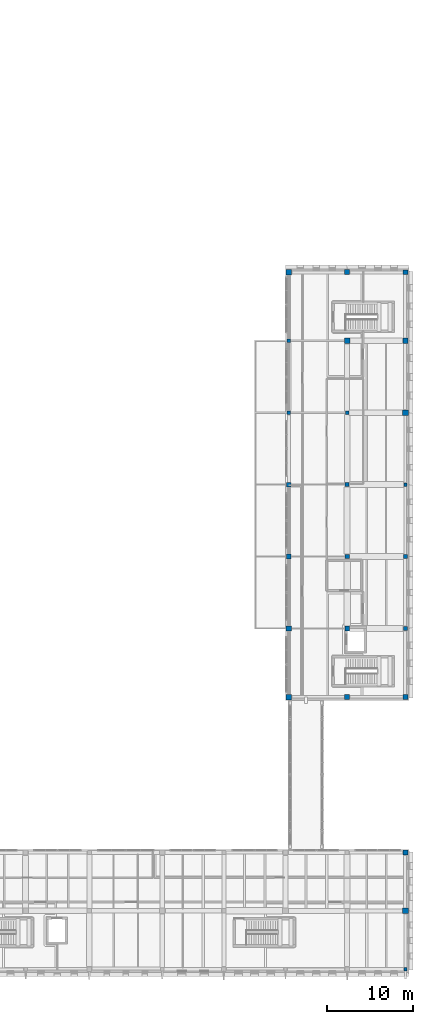
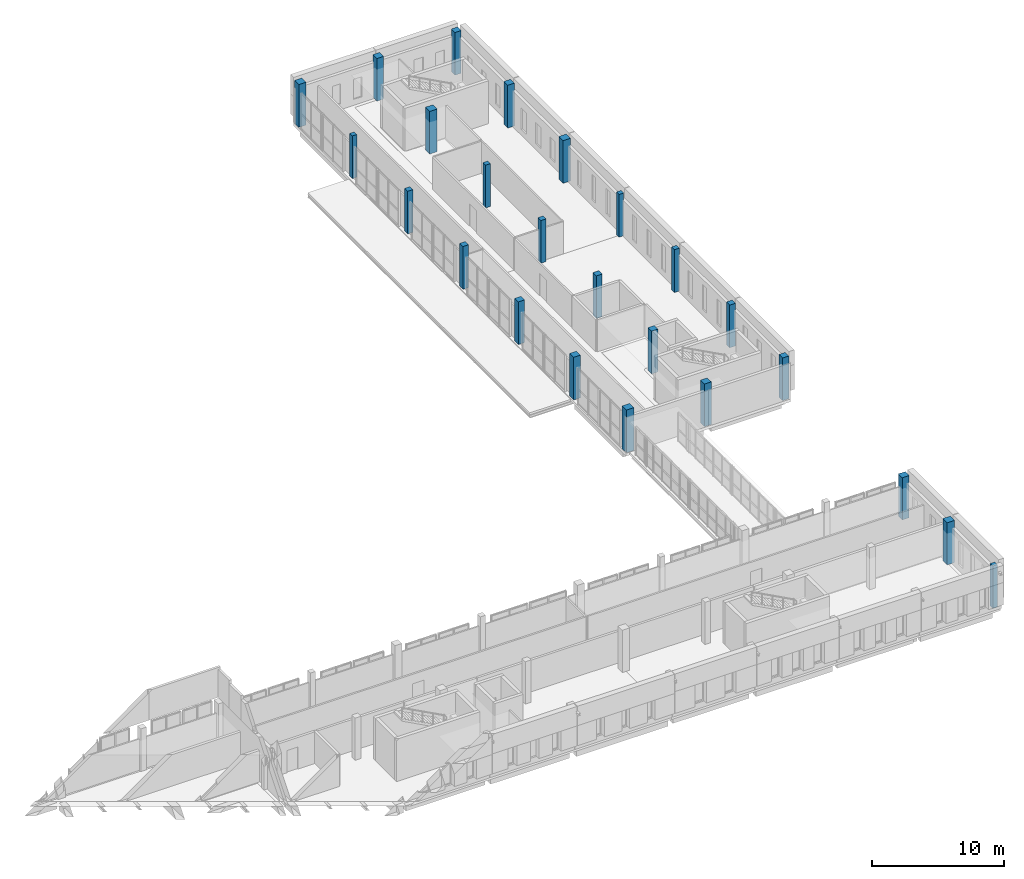
# One storey, part 6 of 76: 24 columns.
"""IFC4 building model written with IfcOpenShell, lengths in metres."""

import ifcopenshell
import ifcopenshell.guid

model = None  # the IFC model being written
_history = None  # IfcOwnerHistory: only IFC2X3 demands one
_inside = {}  # id of a spatial element -> (the spatial element, [elements in it])
_under = {}  # id of a project, library or spatial element -> (it, [spatial elements below it])
_declared = {}  # id of a project -> (the project, [libraries it declares])
_typed = {}  # id of a type object -> (the type object, [elements of that type])
_made_of = {}  # id of a material, layer set ... -> (it, [elements and type objects made of it])


def new_model(schema):
    """Start an empty IFC model of exactly this schema.

    Asked for "IFC4X3", IfcOpenShell would pick the latest addendum, in which some entities
    have other attributes; the version numbers below select the first issue.
    IFC2X3 requires an IfcOwnerHistory on every rooted entity: one is made here for all.
    """
    global model, _history
    if schema == "IFC4X3":
        model = ifcopenshell.file(schema_version=(4, 3, 0, 0))
    else:
        model = ifcopenshell.file(schema=schema)
    _inside.clear()
    _under.clear()
    _declared.clear()
    _typed.clear()
    _made_of.clear()
    _history = None
    if model.schema == "IFC2X3":
        org = make("IfcOrganization", Name="unknown")
        user = make(
            "IfcPersonAndOrganization",
            ThePerson=make("IfcPerson", FamilyName="unknown"),
            TheOrganization=org,
        )
        app = make(
            "IfcApplication",
            ApplicationDeveloper=org,
            Version="unknown",
            ApplicationFullName="unknown",
            ApplicationIdentifier="unknown",
        )
        _history = make(
            "IfcOwnerHistory",
            OwningUser=user,
            OwningApplication=app,
            ChangeAction="ADDED",
            CreationDate=0,
        )
    return model


def make(cls, **values):
    """One entity of the class cls with the attributes given. An attribute that is None is left unset."""
    return model.create_entity(
        cls, **{name: value for name, value in values.items() if value is not None}
    )


def rooted(cls, **values):
    """An entity with a GlobalId (a new one), such as an element, a storey or a relation."""
    return make(cls, GlobalId=ifcopenshell.guid.new(), OwnerHistory=_history, **values)


def si_unit(unit_type, name, prefix=None):
    """IfcSIUnit, for example si_unit("LENGTHUNIT", "METRE", prefix="MILLI")."""
    return make("IfcSIUnit", UnitType=unit_type, Prefix=prefix, Name=name)


def assignment(units):
    """IfcUnitAssignment: the units of a project."""
    return None if units is None else make("IfcUnitAssignment", Units=units)


def point(xyz):
    """IfcCartesianPoint."""
    return None if xyz is None else make("IfcCartesianPoint", Coordinates=xyz)


def direction(xyz):
    """IfcDirection."""
    return None if xyz is None else make("IfcDirection", DirectionRatios=xyz)


def frame(location, z_axis=None, x_axis=None):
    """IfcAxis2Placement3D, a coordinate frame: its origin and axes. An axis left out is left unset."""
    return make(
        "IfcAxis2Placement3D",
        Location=point(location),
        Axis=direction(z_axis),
        RefDirection=direction(x_axis),
    )


def frame_2d(location, x_axis=None):
    """IfcAxis2Placement2D, a coordinate frame in the plane: its origin and x axis."""
    return make(
        "IfcAxis2Placement2D", Location=point(location), RefDirection=direction(x_axis)
    )


def origin():
    """The frame at (0, 0, 0) with its axes left unset."""
    return frame((0.0, 0.0, 0.0))


def origin_2d():
    """The frame at (0, 0) in the plane with its x axis left unset."""
    return frame_2d((0.0, 0.0))


def place(relative_to, where):
    """IfcLocalPlacement: puts the frame where relative to a parent placement (None: the world)."""
    return make(
        "IfcLocalPlacement", PlacementRelTo=relative_to, RelativePlacement=where
    )


def context(
    kind, dimensions, precision=None, world=None, true_north=None, identifier=None
):
    """IfcGeometricRepresentationContext, for example the 3D "Model" context."""
    return make(
        "IfcGeometricRepresentationContext",
        ContextIdentifier=identifier,
        ContextType=kind,
        CoordinateSpaceDimension=dimensions,
        Precision=precision,
        WorldCoordinateSystem=world,
        TrueNorth=true_north,
    )


def subcontext(parent, identifier, kind, view, scale=None):
    """IfcGeometricRepresentationSubContext, for example "Body" below "Model"."""
    return make(
        "IfcGeometricRepresentationSubContext",
        ContextIdentifier=identifier,
        ContextType=kind,
        ParentContext=parent,
        TargetScale=scale,
        TargetView=view,
    )


def project(units=None, contexts=None):
    """IfcProject with its units and contexts."""
    return rooted(
        "IfcProject",
        Name="project",
        RepresentationContexts=contexts,
        UnitsInContext=assignment(units),
    )


def spatial(cls, under=None, at=None, **own):
    """A site, building, storey or space (cls), placed at a placement, below another one or the project."""
    s = rooted(cls, ObjectPlacement=at, **own)
    if under is not None:
        _under.setdefault(under.id(), (under, []))[1].append(s)
    return s


def profile(cls, at=None, kind="AREA", **sizes):
    """A parametric profile (cls). Its sizes go by their IFC names, for example OverallWidth=200.0."""
    return make(cls, ProfileType=kind, Position=at, **sizes)


def rectangle(**sizes):
    """IfcRectangleProfileDef."""
    return profile("IfcRectangleProfileDef", **sizes)


def extrude(swept, where, along, depth):
    """IfcExtrudedAreaSolid: the profile swept, set in the frame where, extruded along a direction by depth."""
    return make(
        "IfcExtrudedAreaSolid",
        SweptArea=swept,
        Position=where,
        ExtrudedDirection=direction(along),
        Depth=depth,
    )


def shape(context_of_items, identifier, shape_type, items):
    """IfcShapeRepresentation: the items that make up one representation, for example the "Body"."""
    return make(
        "IfcShapeRepresentation",
        ContextOfItems=context_of_items,
        RepresentationIdentifier=identifier,
        RepresentationType=shape_type,
        Items=items,
    )


def material(Name=None, Category=None):
    """IfcMaterial."""
    return make("IfcMaterial", Name=Name, Category=Category)


def material_profile(
    of_material, cross_section, Name=None, Category=None, Priority=None
):
    """IfcMaterialProfile: a cross section and its material."""
    return make(
        "IfcMaterialProfile",
        Name=Name,
        Material=of_material,
        Profile=cross_section,
        Priority=Priority,
        Category=Category,
    )


def profile_set(profiles, Name=None, composite=None):
    """IfcMaterialProfileSet."""
    return make(
        "IfcMaterialProfileSet",
        Name=Name,
        MaterialProfiles=profiles,
        CompositeProfile=composite,
    )


def made_of(thing, what):
    """Note that an element or type object is made of a material, layer set ...; save() writes the relation."""
    if what is not None:
        _made_of.setdefault(what.id(), (what, []))[1].append(thing)
    return thing


def type_object(cls, material=None, **own):
    """A type object (cls), such as IfcWallType, which elements share."""
    return made_of(rooted(cls, **own), material)


def element(
    cls,
    number,
    at=None,
    inside=None,
    cuts=None,
    type_object=None,
    material=None,
    context=None,
    identifier="Body",
    shape_type=None,
    held_by="IfcProductDefinitionShape",
    body=None,
    shapes=None,
    **own,
):
    """One element of the class cls, such as IfcWall. Its Tag is "e" and its number.

    at: its placement. inside: the storey or other place that contains it. cuts: it is an
    opening in that element (IfcRelVoidsElement). A single representation is given by context,
    identifier, shape_type and body (its items); several are given by shapes. held_by: the class
    of the entity that holds the representations. save() writes the other relations.
    """
    e = rooted(cls, Tag="e%d" % number, ObjectPlacement=at, **own)
    if body is not None:
        shapes = [shape(context, identifier, shape_type, body)]
    if shapes is not None:
        e.Representation = make(held_by, Representations=shapes)
    if inside is not None:
        _inside.setdefault(inside.id(), (inside, []))[1].append(e)
    if cuts is not None:
        rooted(
            "IfcRelVoidsElement", RelatingBuildingElement=cuts, RelatedOpeningElement=e
        )
    if type_object is not None:
        _typed.setdefault(type_object.id(), (type_object, []))[1].append(e)
    return made_of(e, material)


def aggregate(whole, parts):
    """IfcRelAggregates: a whole, such as a stair, and the parts it consists of."""
    return rooted("IfcRelAggregates", RelatingObject=whole, RelatedObjects=parts)


def save(model, path):
    """Write the relations noted so far, then the file.

    IfcRelAggregates (storeys below a building ...), IfcRelContainedInSpatialStructure (elements
    in a storey), IfcRelDefinesByType, IfcRelAssociatesMaterial and IfcRelDeclares: one each for
    every whole, place, type object, material and project.
    """
    for whole, parts in _under.values():
        aggregate(whole, parts)
    for where, things in _inside.values():
        rooted(
            "IfcRelContainedInSpatialStructure",
            RelatedElements=things,
            RelatingStructure=where,
        )
    for kind, things in _typed.values():
        rooted("IfcRelDefinesByType", RelatedObjects=things, RelatingType=kind)
    for what, things in _made_of.values():
        rooted("IfcRelAssociatesMaterial", RelatedObjects=things, RelatingMaterial=what)
    for by, libraries in _declared.values():
        rooted("IfcRelDeclares", RelatingContext=by, RelatedDefinitions=libraries)
    model.write(path)


model = new_model("IFC4")

# Units and contexts
model_context = context("Model", 3, precision=1e-05, world=origin(), true_north=direction((0.0, 1.0)))
body_context = subcontext(model_context, "Body", "Model", "MODEL_VIEW")
ifc_project = project(units=[si_unit("LENGTHUNIT", "METRE"), si_unit("AREAUNIT", "SQUARE_METRE"), si_unit("VOLUMEUNIT", "CUBIC_METRE"), si_unit("PLANEANGLEUNIT", "RADIAN"), si_unit("MASSUNIT", "GRAM", prefix="KILO")], contexts=[model_context])

# Site, building, storey
site_placement = place(None, origin())
site = spatial("IfcSite", under=ifc_project, at=site_placement, CompositionType="ELEMENT")
building_placement = place(site_placement, origin())
building = spatial("IfcBuilding", under=site, at=building_placement, Name="Vardoun Plaza Health Centre", CompositionType="ELEMENT")
storey_placement = place(building_placement, frame((0.0, 0.0, 4.5)))
storey = spatial("IfcBuildingStorey", under=building, at=storey_placement, Name="L01", CompositionType="ELEMENT", Elevation=4.5)

# Columns
ifc_material_1 = material(Name="Concrete C40/50", Category="concrete")
ifc_material_profile_1 = material_profile(ifc_material_1, rectangle(XDim=0.39990234375, YDim=0.39990234375, at=origin_2d()), Name="RC-COL 400x400")
ifc_profile_set_1 = profile_set([ifc_material_profile_1], Name="Concrete C40/50")
column_type_1 = type_object("IfcColumnType", Name="C-08", PredefinedType="COLUMN", material=ifc_profile_set_1)
column_1_placement = place(storey_placement, frame((164.919921875, 4.8798828125, 0.0), z_axis=(0.0, 0.0, 1.0), x_axis=(1.0, 0.0, 0.0)))
element("IfcColumn", 1, at=column_1_placement, inside=storey, type_object=column_type_1, Name="V5 L01 Column C-V5-25", PredefinedType="COLUMN", context=body_context, shape_type="SweptSolid", body=[
    extrude(rectangle(XDim=0.39990234375, YDim=0.39990234375, at=origin_2d()), origin(), (0.0, 0.0, 1.0), 3.905029296875),
])
for number, where, z_axis, x_axis, name in (
    (2, (151.280029296875, 78.300048828125, 0.0), (0.0, 0.0, 1.0), (1.0, 0.0, 0.0), "V6 L01 Column C-V6-06"),
    (3, (158.10009765625, 69.900146484375, 0.0), (0.0, 0.0, 1.0), (1.0, 0.0, 0.0), "V6 L01 Column C-V6-12"),
    (4, (164.919921875, 61.5, 0.0), (0.0, 0.0, 1.0), (1.0, 0.0, 0.0), "V6 L01 Column C-V6-18"),
):
    element("IfcColumn", number, at=place(storey_placement, frame(where, z_axis=z_axis, x_axis=x_axis)), inside=storey, type_object=column_type_1, Name=name, PredefinedType="COLUMN", context=body_context, shape_type="SweptSolid", body=[
        extrude(rectangle(XDim=0.39990234375, YDim=0.39990234375, at=origin_2d()), origin(), (0.0, 0.0, 1.0), 3.949951171875),
    ])
ifc_material_2 = material(Name="Concrete C40/50", Category="concrete")
ifc_material_profile_2 = material_profile(ifc_material_2, rectangle(XDim=0.449951171875, YDim=0.449951171875, at=origin_2d()), Name="RC-COL 450x450")
ifc_profile_set_2 = profile_set([ifc_material_profile_2], Name="Concrete C40/50")
column_type_2 = type_object("IfcColumnType", Name="C-07", PredefinedType="COLUMN", material=ifc_profile_set_2)
for number, where, z_axis, x_axis, name in (
    (5, (151.280029296875, 69.900146484375, 0.0), (0.0, 0.0, 1.0), (1.0, 0.0, 0.0), "V6 L01 Column C-V6-05"),
    (6, (158.10009765625, 61.5, 0.0), (0.0, 0.0, 1.0), (1.0, 0.0, 0.0), "V6 L01 Column C-V6-11"),
    (7, (164.919921875, 53.10009765625, 0.0), (0.0, 0.0, 1.0), (1.0, 0.0, 0.0), "V6 L01 Column C-V6-17"),
):
    element("IfcColumn", number, at=place(storey_placement, frame(where, z_axis=z_axis, x_axis=x_axis)), inside=storey, type_object=column_type_2, Name=name, PredefinedType="COLUMN", context=body_context, shape_type="SweptSolid", body=[
        extrude(rectangle(XDim=0.449951171875, YDim=0.449951171875, at=origin_2d()), origin(), (0.0, 0.0, 1.0), 3.949951171875),
    ])
ifc_material_3 = material(Name="Concrete C40/50", Category="concrete")
ifc_material_profile_3 = material_profile(ifc_material_3, rectangle(XDim=0.5, YDim=0.5, at=origin_2d()), Name="RC-COL 500x500")
ifc_profile_set_3 = profile_set([ifc_material_profile_3], Name="Concrete C40/50")
column_type_3 = type_object("IfcColumnType", Name="C-06", PredefinedType="COLUMN", material=ifc_profile_set_3)
for number, where, z_axis, x_axis, name in (
    (8, (151.280029296875, 61.5, 0.0), (0.0, 0.0, 1.0), (1.0, 0.0, 0.0), "V6 L01 Column C-V6-04"),
    (9, (158.10009765625, 53.10009765625, 0.0), (0.0, 0.0, 1.0), (1.0, 0.0, 0.0), "V6 L01 Column C-V6-10"),
    (10, (164.919921875, 44.699951171875, 0.0), (0.0, 0.0, 1.0), (1.0, 0.0, 0.0), "V6 L01 Column C-V6-16"),
):
    element("IfcColumn", number, at=place(storey_placement, frame(where, z_axis=z_axis, x_axis=x_axis)), inside=storey, type_object=column_type_3, Name=name, PredefinedType="COLUMN", context=body_context, shape_type="SweptSolid", body=[
        extrude(rectangle(XDim=0.5, YDim=0.5, at=origin_2d()), origin(), (0.0, 0.0, 1.0), 3.949951171875),
    ])
ifc_material_4 = material(Name="Concrete C40/50", Category="concrete")
ifc_material_profile_4 = material_profile(ifc_material_4, rectangle(XDim=0.550048828125, YDim=0.550048828125, at=origin_2d()), Name="RC-COL 550x550")
ifc_profile_set_4 = profile_set([ifc_material_profile_4], Name="Concrete C40/50")
column_type_4 = type_object("IfcColumnType", Name="C-05", PredefinedType="COLUMN", material=ifc_profile_set_4)
for number, where, z_axis, x_axis, name in (
    (11, (151.280029296875, 53.10009765625, 0.0), (0.0, 0.0, 1.0), (1.0, 0.0, 0.0), "V6 L01 Column C-V6-03"),
    (12, (158.10009765625, 44.699951171875, 0.0), (0.0, 0.0, 1.0), (1.0, 0.0, 0.0), "V6 L01 Column C-V6-09"),
    (13, (164.919921875, 36.679931640625, 0.0), (0.0, 0.0, 1.0), (1.0, 0.0, 0.0), "V6 L01 Column C-V6-15"),
    (14, (164.919921875, 86.320068359375, 0.0), (0.0, 0.0, 1.0), (1.0, 0.0, 0.0), "V6 L01 Column C-V6-21"),
):
    element("IfcColumn", number, at=place(storey_placement, frame(where, z_axis=z_axis, x_axis=x_axis)), inside=storey, type_object=column_type_4, Name=name, PredefinedType="COLUMN", context=body_context, shape_type="SweptSolid", body=[
        extrude(rectangle(XDim=0.550048828125, YDim=0.550048828125, at=origin_2d()), origin(), (0.0, 0.0, 1.0), 3.949951171875),
    ])
ifc_material_5 = material(Name="Concrete C40/50", Category="concrete")
ifc_material_profile_5 = material_profile(ifc_material_5, rectangle(XDim=0.60009765625, YDim=0.60009765625, at=origin_2d()), Name="RC-COL 600x600")
ifc_profile_set_5 = profile_set([ifc_material_profile_5], Name="Concrete C40/50")
column_type_5 = type_object("IfcColumnType", Name="C-04", PredefinedType="COLUMN", material=ifc_profile_set_5)
column_2_placement = place(storey_placement, frame((164.919921875, 18.52001953125, 0.0), z_axis=(0.0, 0.0, 1.0), x_axis=(1.0, 0.0, 0.0)))
element("IfcColumn", 15, at=column_2_placement, inside=storey, type_object=column_type_5, Name="V5 L01 Column C-V5-27", PredefinedType="COLUMN", context=body_context, shape_type="SweptSolid", body=[
    extrude(rectangle(XDim=0.60009765625, YDim=0.60009765625, at=origin_2d()), origin(), (0.0, 0.0, 1.0), 3.905029296875),
])
for number, where, z_axis, x_axis, name in (
    (16, (151.280029296875, 44.699951171875, 0.0), (0.0, 0.0, 1.0), (1.0, 0.0, 0.0), "V6 L01 Column C-V6-02"),
    (17, (158.10009765625, 36.679931640625, 0.0), (0.0, 0.0, 1.0), (1.0, 0.0, 0.0), "V6 L01 Column C-V6-08"),
    (18, (158.10009765625, 86.320068359375, 0.0), (0.0, 0.0, 1.0), (1.0, 0.0, 0.0), "V6 L01 Column C-V6-14"),
    (19, (164.919921875, 78.300048828125, 0.0), (0.0, 0.0, 1.0), (1.0, 0.0, 0.0), "V6 L01 Column C-V6-20"),
):
    element("IfcColumn", number, at=place(storey_placement, frame(where, z_axis=z_axis, x_axis=x_axis)), inside=storey, type_object=column_type_5, Name=name, PredefinedType="COLUMN", context=body_context, shape_type="SweptSolid", body=[
        extrude(rectangle(XDim=0.60009765625, YDim=0.60009765625, at=origin_2d()), origin(), (0.0, 0.0, 1.0), 3.949951171875),
    ])
ifc_material_6 = material(Name="Concrete C40/50", Category="concrete")
ifc_material_profile_6 = material_profile(ifc_material_6, rectangle(XDim=0.64990234375, YDim=0.64990234375, at=origin_2d()), Name="RC-COL 650x650")
ifc_profile_set_6 = profile_set([ifc_material_profile_6], Name="Concrete C40/50")
column_type_6 = type_object("IfcColumnType", Name="C-03", PredefinedType="COLUMN", material=ifc_profile_set_6)
column_3_placement = place(storey_placement, frame((164.919921875, 11.699951171875, 0.0), z_axis=(0.0, 0.0, 1.0), x_axis=(1.0, 0.0, 0.0)))
element("IfcColumn", 20, at=column_3_placement, inside=storey, type_object=column_type_6, Name="V5 L01 Column C-V5-26", PredefinedType="COLUMN", context=body_context, shape_type="SweptSolid", body=[
    extrude(rectangle(XDim=0.64990234375, YDim=0.64990234375, at=origin_2d()), origin(), (0.0, 0.0, 1.0), 3.905029296875),
])
for number, where, z_axis, x_axis, name in (
    (21, (151.280029296875, 36.679931640625, 0.0), (0.0, 0.0, 1.0), (1.0, 0.0, 0.0), "V6 L01 Column C-V6-01"),
    (22, (151.280029296875, 86.320068359375, 0.0), (0.0, 0.0, 1.0), (1.0, 0.0, 0.0), "V6 L01 Column C-V6-07"),
    (23, (158.10009765625, 78.300048828125, 0.0), (0.0, 0.0, 1.0), (1.0, 0.0, 0.0), "V6 L01 Column C-V6-13"),
    (24, (164.919921875, 69.900146484375, 0.0), (0.0, 0.0, 1.0), (1.0, 0.0, 0.0), "V6 L01 Column C-V6-19"),
):
    element("IfcColumn", number, at=place(storey_placement, frame(where, z_axis=z_axis, x_axis=x_axis)), inside=storey, type_object=column_type_6, Name=name, PredefinedType="COLUMN", context=body_context, shape_type="SweptSolid", body=[
        extrude(rectangle(XDim=0.64990234375, YDim=0.64990234375, at=origin_2d()), origin(), (0.0, 0.0, 1.0), 3.949951171875),
    ])

save(model, "model.ifc")
